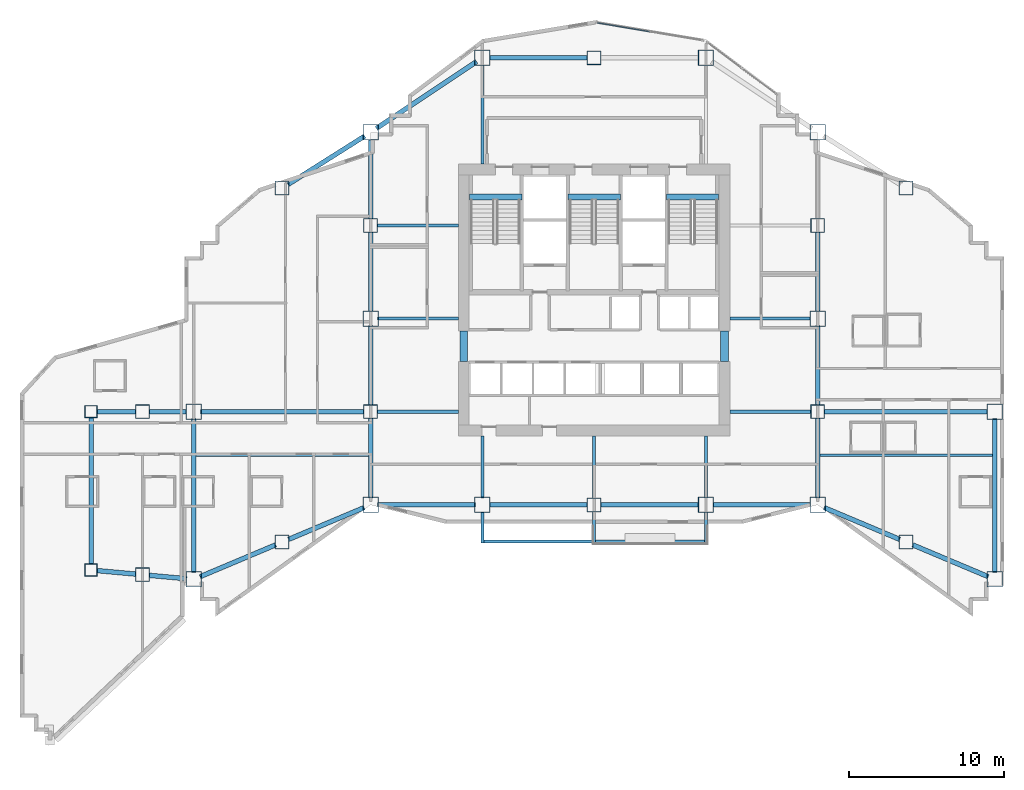
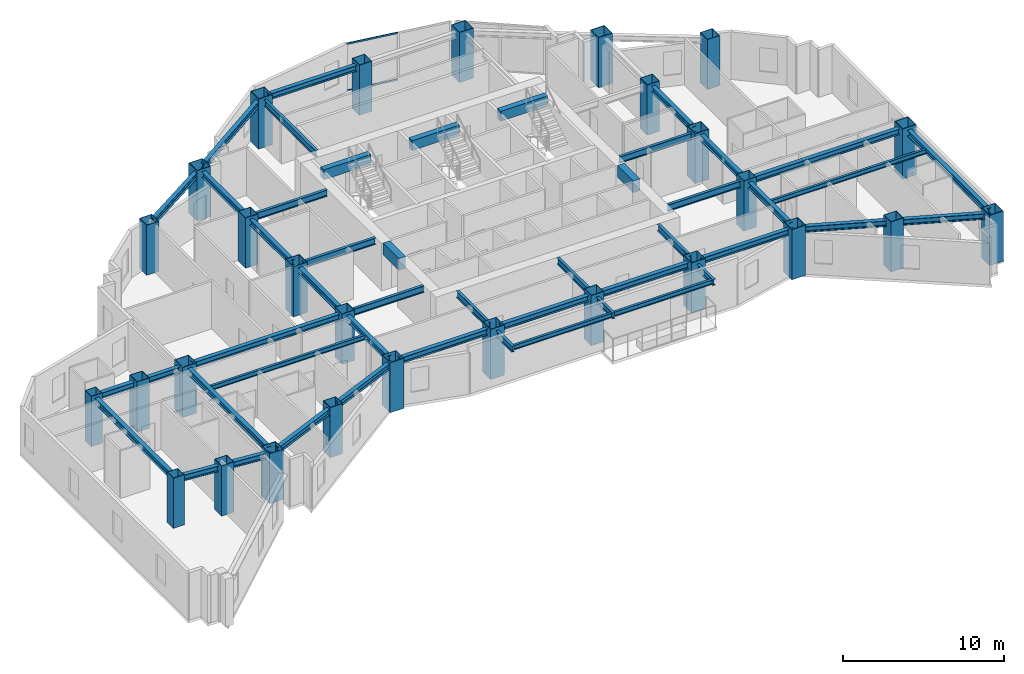
# One storey, part 1 of 13: 48 beams, 28 columns, 2 members, 1 element without a shape of its own.
"""IFC4 building model written with IfcOpenShell, lengths in metres."""

import ifcopenshell
import ifcopenshell.guid

model = None  # the IFC model being written
_history = None  # IfcOwnerHistory: only IFC2X3 demands one
_inside = {}  # id of a spatial element -> (the spatial element, [elements in it])
_under = {}  # id of a project, library or spatial element -> (it, [spatial elements below it])
_declared = {}  # id of a project -> (the project, [libraries it declares])
_typed = {}  # id of a type object -> (the type object, [elements of that type])
_made_of = {}  # id of a material, layer set ... -> (it, [elements and type objects made of it])


def new_model(schema):
    """Start an empty IFC model of exactly this schema.

    Asked for "IFC4X3", IfcOpenShell would pick the latest addendum, in which some entities
    have other attributes; the version numbers below select the first issue.
    IFC2X3 requires an IfcOwnerHistory on every rooted entity: one is made here for all.
    """
    global model, _history
    if schema == "IFC4X3":
        model = ifcopenshell.file(schema_version=(4, 3, 0, 0))
    else:
        model = ifcopenshell.file(schema=schema)
    _inside.clear()
    _under.clear()
    _declared.clear()
    _typed.clear()
    _made_of.clear()
    _history = None
    if model.schema == "IFC2X3":
        org = make("IfcOrganization", Name="unknown")
        user = make(
            "IfcPersonAndOrganization",
            ThePerson=make("IfcPerson", FamilyName="unknown"),
            TheOrganization=org,
        )
        app = make(
            "IfcApplication",
            ApplicationDeveloper=org,
            Version="unknown",
            ApplicationFullName="unknown",
            ApplicationIdentifier="unknown",
        )
        _history = make(
            "IfcOwnerHistory",
            OwningUser=user,
            OwningApplication=app,
            ChangeAction="ADDED",
            CreationDate=0,
        )
    return model


def make(cls, **values):
    """One entity of the class cls with the attributes given. An attribute that is None is left unset."""
    return model.create_entity(
        cls, **{name: value for name, value in values.items() if value is not None}
    )


def rooted(cls, **values):
    """An entity with a GlobalId (a new one), such as an element, a storey or a relation."""
    return make(cls, GlobalId=ifcopenshell.guid.new(), OwnerHistory=_history, **values)


def si_unit(unit_type, name, prefix=None):
    """IfcSIUnit, for example si_unit("LENGTHUNIT", "METRE", prefix="MILLI")."""
    return make("IfcSIUnit", UnitType=unit_type, Prefix=prefix, Name=name)


def assignment(units):
    """IfcUnitAssignment: the units of a project."""
    return None if units is None else make("IfcUnitAssignment", Units=units)


def point(xyz):
    """IfcCartesianPoint."""
    return None if xyz is None else make("IfcCartesianPoint", Coordinates=xyz)


def direction(xyz):
    """IfcDirection."""
    return None if xyz is None else make("IfcDirection", DirectionRatios=xyz)


def frame(location, z_axis=None, x_axis=None):
    """IfcAxis2Placement3D, a coordinate frame: its origin and axes. An axis left out is left unset."""
    return make(
        "IfcAxis2Placement3D",
        Location=point(location),
        Axis=direction(z_axis),
        RefDirection=direction(x_axis),
    )


def frame_2d(location, x_axis=None):
    """IfcAxis2Placement2D, a coordinate frame in the plane: its origin and x axis."""
    return make(
        "IfcAxis2Placement2D", Location=point(location), RefDirection=direction(x_axis)
    )


def origin():
    """The frame at (0, 0, 0) with its axes left unset."""
    return frame((0.0, 0.0, 0.0))


def origin_2d():
    """The frame at (0, 0) in the plane with its x axis left unset."""
    return frame_2d((0.0, 0.0))


def place(relative_to, where):
    """IfcLocalPlacement: puts the frame where relative to a parent placement (None: the world)."""
    return make(
        "IfcLocalPlacement", PlacementRelTo=relative_to, RelativePlacement=where
    )


def context(
    kind, dimensions, precision=None, world=None, true_north=None, identifier=None
):
    """IfcGeometricRepresentationContext, for example the 3D "Model" context."""
    return make(
        "IfcGeometricRepresentationContext",
        ContextIdentifier=identifier,
        ContextType=kind,
        CoordinateSpaceDimension=dimensions,
        Precision=precision,
        WorldCoordinateSystem=world,
        TrueNorth=true_north,
    )


def subcontext(parent, identifier, kind, view, scale=None):
    """IfcGeometricRepresentationSubContext, for example "Body" below "Model"."""
    return make(
        "IfcGeometricRepresentationSubContext",
        ContextIdentifier=identifier,
        ContextType=kind,
        ParentContext=parent,
        TargetScale=scale,
        TargetView=view,
    )


def project(units=None, contexts=None):
    """IfcProject with its units and contexts."""
    return rooted(
        "IfcProject",
        Name="project",
        RepresentationContexts=contexts,
        UnitsInContext=assignment(units),
    )


def spatial(cls, under=None, at=None, **own):
    """A site, building, storey or space (cls), placed at a placement, below another one or the project."""
    s = rooted(cls, ObjectPlacement=at, **own)
    if under is not None:
        _under.setdefault(under.id(), (under, []))[1].append(s)
    return s


def profile(cls, at=None, kind="AREA", **sizes):
    """A parametric profile (cls). Its sizes go by their IFC names, for example OverallWidth=200.0."""
    return make(cls, ProfileType=kind, Position=at, **sizes)


def rectangle(**sizes):
    """IfcRectangleProfileDef."""
    return profile("IfcRectangleProfileDef", **sizes)


def hollow_rectangle(**sizes):
    """IfcRectangleHollowProfileDef."""
    return profile("IfcRectangleHollowProfileDef", **sizes)


def i_section(**sizes):
    """IfcIShapeProfileDef."""
    return profile("IfcIShapeProfileDef", **sizes)


def extrude(swept, where, along, depth):
    """IfcExtrudedAreaSolid: the profile swept, set in the frame where, extruded along a direction by depth."""
    return make(
        "IfcExtrudedAreaSolid",
        SweptArea=swept,
        Position=where,
        ExtrudedDirection=direction(along),
        Depth=depth,
    )


def shape(context_of_items, identifier, shape_type, items):
    """IfcShapeRepresentation: the items that make up one representation, for example the "Body"."""
    return make(
        "IfcShapeRepresentation",
        ContextOfItems=context_of_items,
        RepresentationIdentifier=identifier,
        RepresentationType=shape_type,
        Items=items,
    )


def material(Name=None, Category=None):
    """IfcMaterial."""
    return make("IfcMaterial", Name=Name, Category=Category)


def layer(
    of_material, thickness, ventilated=None, Name=None, Category=None, Priority=None
):
    """IfcMaterialLayer: one layer of a wall or slab, of a material (None: an air gap)."""
    return make(
        "IfcMaterialLayer",
        Material=of_material,
        LayerThickness=thickness,
        IsVentilated=ventilated,
        Name=Name,
        Category=Category,
        Priority=Priority,
    )


def layer_set(layers, Name=None):
    """IfcMaterialLayerSet."""
    return make("IfcMaterialLayerSet", MaterialLayers=layers, LayerSetName=Name)


def material_profile(
    of_material, cross_section, Name=None, Category=None, Priority=None
):
    """IfcMaterialProfile: a cross section and its material."""
    return make(
        "IfcMaterialProfile",
        Name=Name,
        Material=of_material,
        Profile=cross_section,
        Priority=Priority,
        Category=Category,
    )


def profile_set(profiles, Name=None, composite=None):
    """IfcMaterialProfileSet."""
    return make(
        "IfcMaterialProfileSet",
        Name=Name,
        MaterialProfiles=profiles,
        CompositeProfile=composite,
    )


def made_of(thing, what):
    """Note that an element or type object is made of a material, layer set ...; save() writes the relation."""
    if what is not None:
        _made_of.setdefault(what.id(), (what, []))[1].append(thing)
    return thing


def type_object(cls, material=None, **own):
    """A type object (cls), such as IfcWallType, which elements share."""
    return made_of(rooted(cls, **own), material)


def element(
    cls,
    number,
    at=None,
    inside=None,
    cuts=None,
    type_object=None,
    material=None,
    context=None,
    identifier="Body",
    shape_type=None,
    held_by="IfcProductDefinitionShape",
    body=None,
    shapes=None,
    **own,
):
    """One element of the class cls, such as IfcWall. Its Tag is "e" and its number.

    at: its placement. inside: the storey or other place that contains it. cuts: it is an
    opening in that element (IfcRelVoidsElement). A single representation is given by context,
    identifier, shape_type and body (its items); several are given by shapes. held_by: the class
    of the entity that holds the representations. save() writes the other relations.
    """
    e = rooted(cls, Tag="e%d" % number, ObjectPlacement=at, **own)
    if body is not None:
        shapes = [shape(context, identifier, shape_type, body)]
    if shapes is not None:
        e.Representation = make(held_by, Representations=shapes)
    if inside is not None:
        _inside.setdefault(inside.id(), (inside, []))[1].append(e)
    if cuts is not None:
        rooted(
            "IfcRelVoidsElement", RelatingBuildingElement=cuts, RelatedOpeningElement=e
        )
    if type_object is not None:
        _typed.setdefault(type_object.id(), (type_object, []))[1].append(e)
    return made_of(e, material)


def aggregate(whole, parts):
    """IfcRelAggregates: a whole, such as a stair, and the parts it consists of."""
    return rooted("IfcRelAggregates", RelatingObject=whole, RelatedObjects=parts)


def save(model, path):
    """Write the relations noted so far, then the file.

    IfcRelAggregates (storeys below a building ...), IfcRelContainedInSpatialStructure (elements
    in a storey), IfcRelDefinesByType, IfcRelAssociatesMaterial and IfcRelDeclares: one each for
    every whole, place, type object, material and project.
    """
    for whole, parts in _under.values():
        aggregate(whole, parts)
    for where, things in _inside.values():
        rooted(
            "IfcRelContainedInSpatialStructure",
            RelatedElements=things,
            RelatingStructure=where,
        )
    for kind, things in _typed.values():
        rooted("IfcRelDefinesByType", RelatedObjects=things, RelatingType=kind)
    for what, things in _made_of.values():
        rooted("IfcRelAssociatesMaterial", RelatedObjects=things, RelatingMaterial=what)
    for by, libraries in _declared.values():
        rooted("IfcRelDeclares", RelatingContext=by, RelatedDefinitions=libraries)
    model.write(path)


model = new_model("IFC4")

# Units and contexts
model_context = context("Model", 3, precision=1e-05, world=origin(), true_north=direction((0.0, 1.0)))
body_context = subcontext(model_context, "Body", "Model", "MODEL_VIEW")
ifc_project = project(units=[si_unit("LENGTHUNIT", "METRE"), si_unit("AREAUNIT", "SQUARE_METRE"), si_unit("VOLUMEUNIT", "CUBIC_METRE"), si_unit("PLANEANGLEUNIT", "RADIAN"), si_unit("MASSUNIT", "GRAM", prefix="KILO")], contexts=[model_context])

# Site, building, storey
site_placement = place(None, origin())
site = spatial("IfcSite", under=ifc_project, at=site_placement, CompositionType="ELEMENT")
building_placement = place(site_placement, origin())
building = spatial("IfcBuilding", under=site, at=building_placement, Name="Haolan Belvedere Tower", CompositionType="ELEMENT")
storey_placement = place(building_placement, frame((0.0, 0.0, 128.800048828125)))
storey = spatial("IfcBuildingStorey", under=building, at=storey_placement, Name="L32", CompositionType="ELEMENT", Elevation=128.800048828125)

# Columns
ifc_material_1 = material(Name="Steel Q420GJC", Category="steel")
ifc_material_profile_1 = material_profile(ifc_material_1, hollow_rectangle(XDim=1.0, YDim=1.0, WallThickness=0.0380859375, at=origin_2d()), Name="Steel Q420GJC")
ifc_profile_set_1 = profile_set([ifc_material_profile_1], Name="Steel Q420GJC")
column_type_1 = type_object("IfcColumnType", Name="COL-BOX1000x1000x38", PredefinedType="COLUMN", material=ifc_profile_set_1)
for number, where, z_axis, x_axis, name in (
    (1, (24.0, 21.60009765625, 0.0), (0.0, 0.0, 1.0), (1.0, 0.0, 0.0), "L32 column MC-T3-SW (BOX1000x1000x38)"),
    (2, (24.0, 33.60009765625, 0.0), (0.0, 0.0, 1.0), (1.0, 0.0, 0.0), "L32 column MC-T3-MW (BOX1000x1000x38)"),
    (3, (24.0, 45.60009765625, 0.0), (0.0, 0.0, 1.0), (1.0, 0.0, 0.0), "L32 column MC-T3-NW (BOX1000x1000x38)"),
    (4, (52.800048828125, 21.60009765625, 0.0), (0.0, 0.0, 1.0), (1.0, 0.0, 0.0), "L32 column MC-T3-SE (BOX1000x1000x38)"),
    (5, (52.800048828125, 33.60009765625, 0.0), (0.0, 0.0, 1.0), (1.0, 0.0, 0.0), "L32 column MC-T3-ME (BOX1000x1000x38)"),
    (6, (52.800048828125, 45.60009765625, 0.0), (0.0, 0.0, 1.0), (1.0, 0.0, 0.0), "L32 column MC-T3-NE (BOX1000x1000x38)"),
    (7, (31.199951171875, 21.60009765625, 0.0), (0.0, 0.0, 1.0), (1.0, 0.0, 0.0), "L32 column MC-T3-S1 (BOX1000x1000x38)"),
    (8, (45.60009765625, 21.60009765625, 0.0), (0.0, 0.0, 1.0), (1.0, 0.0, 0.0), "L32 column MC-T3-S2 (BOX1000x1000x38)"),
    (9, (31.199951171875, 50.39990234375, 0.0), (0.0, 0.0, 1.0), (1.0, 0.0, 0.0), "L32 column MC-T3-N1 (BOX1000x1000x38)"),
    (10, (45.60009765625, 50.39990234375, 0.0), (0.0, 0.0, 1.0), (1.0, 0.0, 0.0), "L32 column MC-T3-N2 (BOX1000x1000x38)"),
    (11, (12.60009765625, 16.800048828125, 0.0), (0.0, 0.0, 1.0), (1.0, 0.0, 0.0), "L32 column MC-T2-SW (BOX1000x1000x38)"),
    (12, (12.60009765625, 27.60009765625, 0.0), (0.0, 0.0, 1.0), (1.0, 0.0, 0.0), "L32 column MC-T2-MW (BOX1000x1000x38)"),
    (13, (64.199951171875, 16.800048828125, 0.0), (0.0, 0.0, 1.0), (1.0, 0.0, 0.0), "L32 column MC-T4-SE (BOX1000x1000x38)"),
    (14, (64.199951171875, 27.60009765625, 0.0), (0.0, 0.0, 1.0), (1.0, 0.0, 0.0), "L32 column MC-T4-ME (BOX1000x1000x38)"),
):
    element("IfcColumn", number, at=place(storey_placement, frame(where, z_axis=z_axis, x_axis=x_axis)), inside=storey, type_object=column_type_1, Name=name, PredefinedType="COLUMN", context=body_context, shape_type="SweptSolid", body=[
        extrude(hollow_rectangle(XDim=1.0, YDim=1.0, WallThickness=0.0380859375, at=origin_2d()), origin(), (0.0, 0.0, 1.0), 3.800048828125),
    ])
ifc_material_2 = material(Name="Steel Q390GJC", Category="steel")
ifc_material_profile_2 = material_profile(ifc_material_2, hollow_rectangle(XDim=0.800048828125, YDim=0.800048828125, WallThickness=0.030029296875, at=origin_2d()), Name="Steel Q390GJC")
ifc_profile_set_2 = profile_set([ifc_material_profile_2], Name="Steel Q390GJC")
column_type_2 = type_object("IfcColumnType", Name="COL-BOX800x800x30", PredefinedType="COLUMN", material=ifc_profile_set_2)
for number, where, z_axis, x_axis, name in (
    (15, (6.0, 17.39990234375, 0.0), (0.0, 0.0, 1.0), (1.0, 0.0, 0.0), "L32 column MC-T1-SW (BOX800x800x30)"),
    (16, (6.0, 27.60009765625, 0.0), (0.0, 0.0, 1.0), (1.0, 0.0, 0.0), "L32 column MC-T1-NW (BOX800x800x30)"),
):
    element("IfcColumn", number, at=place(storey_placement, frame(where, z_axis=z_axis, x_axis=x_axis)), inside=storey, type_object=column_type_2, Name=name, PredefinedType="COLUMN", context=body_context, shape_type="SweptSolid", body=[
        extrude(hollow_rectangle(XDim=0.800048828125, YDim=0.800048828125, WallThickness=0.030029296875, at=origin_2d()), origin(), (0.0, 0.0, 1.0), 3.800048828125),
    ])
ifc_material_profile_3 = material_profile(ifc_material_2, hollow_rectangle(XDim=0.89990234375, YDim=0.89990234375, WallThickness=0.033935546875, at=origin_2d()), Name="Steel Q390GJC")
ifc_profile_set_3 = profile_set([ifc_material_profile_3], Name="Steel Q390GJC")
column_type_3 = type_object("IfcColumnType", Name="COL-BOX900x900x34", PredefinedType="COLUMN", material=ifc_profile_set_3)
for number, where, z_axis, x_axis, name in (
    (17, (24.0, 27.60009765625, 0.0), (0.0, 0.0, 1.0), (1.0, 0.0, 0.0), "L32 column TC-T3-W1 (BOX900x900x34)"),
    (18, (24.0, 39.60009765625, 0.0), (0.0, 0.0, 1.0), (1.0, 0.0, 0.0), "L32 column TC-T3-W2 (BOX900x900x34)"),
    (19, (52.800048828125, 27.60009765625, 0.0), (0.0, 0.0, 1.0), (1.0, 0.0, 0.0), "L32 column TC-T3-E1 (BOX900x900x34)"),
    (20, (52.800048828125, 39.60009765625, 0.0), (0.0, 0.0, 1.0), (1.0, 0.0, 0.0), "L32 column TC-T3-E2 (BOX900x900x34)"),
    (21, (38.39990234375, 21.60009765625, 0.0), (0.0, 0.0, 1.0), (1.0, 0.0, 0.0), "L32 column TC-T3-SM (BOX900x900x34)"),
    (22, (38.39990234375, 50.39990234375, 0.0), (0.0, 0.0, 1.0), (1.0, 0.0, 0.0), "L32 column TC-T3-NM (BOX900x900x34)"),
    (23, (18.300048828125, 19.199951171875, 0.0), (0.0, 0.0, 1.0), (1.0, 0.0, 0.0), "L32 column TC-T2-S1 (BOX900x900x34)"),
    (24, (18.300048828125, 42.0, 0.0), (0.0, 0.0, 1.0), (1.0, 0.0, 0.0), "L32 column TC-T2-N1 (BOX900x900x34)"),
    (25, (58.5, 19.199951171875, 0.0), (0.0, 0.0, 1.0), (1.0, 0.0, 0.0), "L32 column TC-T4-S1 (BOX900x900x34)"),
    (26, (58.5, 42.0, 0.0), (0.0, 0.0, 1.0), (1.0, 0.0, 0.0), "L32 column TC-T4-N1 (BOX900x900x34)"),
    (27, (9.300048828125, 17.10009765625, 0.0), (0.0, 0.0, 1.0), (1.0, 0.0, 0.0), "L32 column TC-T1-M1 (BOX900x900x34)"),
    (28, (9.300048828125, 27.60009765625, 0.0), (0.0, 0.0, 1.0), (1.0, 0.0, 0.0), "L32 column TC-T1-M2 (BOX900x900x34)"),
):
    element("IfcColumn", number, at=place(storey_placement, frame(where, z_axis=z_axis, x_axis=x_axis)), inside=storey, type_object=column_type_3, Name=name, PredefinedType="COLUMN", context=body_context, shape_type="SweptSolid", body=[
        extrude(hollow_rectangle(XDim=0.89990234375, YDim=0.89990234375, WallThickness=0.033935546875, at=origin_2d()), origin(), (0.0, 0.0, 1.0), 3.800048828125),
    ])

# Beams
ifc_material_3 = material(Name="Steel Q355B", Category="steel")
ifc_material_profile_4 = material_profile(ifc_material_3, i_section(OverallWidth=0.300048828125, OverallDepth=0.43994140625, WebThickness=0.010986328125, FlangeThickness=0.01806640625, FilletRadius=0.02392578125, at=origin_2d()), Name="Steel Q355B")
ifc_profile_set_4 = profile_set([ifc_material_profile_4], Name="Steel Q355B")
beam_type_1 = type_object("IfcBeamType", Name="BM-HM440x300x11x18", PredefinedType="SPANDREL", material=ifc_profile_set_4)
for number, where, z_axis, x_axis, name in (
    (29, (24.0, 22.050048828125, 3.3798828125), (0.0, 1.0, 0.0), (-1.0, 0.0, 0.0), "L32 spandrel girder MC-T3-SW-TC-T3-W1"),
    (30, (24.0, 28.050048828125, 3.3798828125), (0.0, 1.0, 0.0), (-1.0, 0.0, 0.0), "L32 spandrel girder TC-T3-W1-MC-T3-MW"),
    (31, (24.0, 34.050048828125, 3.3798828125), (0.0, 1.0, 0.0), (-1.0, 0.0, 0.0), "L32 spandrel girder MC-T3-MW-TC-T3-W2"),
    (32, (24.0, 40.050048828125, 3.3798828125), (0.0, 1.0, 0.0), (-1.0, 0.0, 0.0), "L32 spandrel girder TC-T3-W2-MC-T3-NW"),
    (33, (52.800048828125, 22.050048828125, 3.3798828125), (0.0, 1.0, 0.0), (-1.0, 0.0, 0.0), "L32 spandrel girder MC-T3-SE-TC-T3-E1"),
    (34, (52.800048828125, 28.050048828125, 3.3798828125), (0.0, 1.0, 0.0), (-1.0, 0.0, 0.0), "L32 spandrel girder TC-T3-E1-MC-T3-ME"),
    (35, (52.800048828125, 34.050048828125, 3.3798828125), (0.0, 1.0, 0.0), (-1.0, 0.0, 0.0), "L32 spandrel girder MC-T3-ME-TC-T3-E2"),
):
    element("IfcBeam", number, at=place(storey_placement, frame(where, z_axis=z_axis, x_axis=x_axis)), inside=storey, type_object=beam_type_1, Name=name, PredefinedType="SPANDREL", context=body_context, shape_type="SweptSolid", body=[
        extrude(i_section(OverallWidth=0.300048828125, OverallDepth=0.43994140625, WebThickness=0.010986328125, FlangeThickness=0.01806640625, FilletRadius=0.02392578125, at=origin_2d()), origin(), (0.0, 0.0, 1.0), 5.099853515625),
    ])
for number, where, z_axis, x_axis, name in (
    (36, (24.449951171875, 21.60009765625, 3.3798828125), (1.0, 0.0, 0.0), (0.0, 1.0, 0.0), "L32 spandrel girder MC-T3-SW-MC-T3-S1"),
    (37, (31.64990234375, 21.60009765625, 3.3798828125), (1.0, 0.0, 0.0), (0.0, 1.0, 0.0), "L32 spandrel girder MC-T3-S1-TC-T3-SM"),
):
    element("IfcBeam", number, at=place(storey_placement, frame(where, z_axis=z_axis, x_axis=x_axis)), inside=storey, type_object=beam_type_1, Name=name, PredefinedType="SPANDREL", context=body_context, shape_type="SweptSolid", body=[
        extrude(i_section(OverallWidth=0.300048828125, OverallDepth=0.43994140625, WebThickness=0.010986328125, FlangeThickness=0.01806640625, FilletRadius=0.02392578125, at=origin_2d()), origin(), (0.0, 0.0, 1.0), 6.300048828125),
    ])
beam_1_placement = place(storey_placement, frame((38.85009765625, 21.60009765625, 3.3798828125), z_axis=(1.0, 0.0, 0.0), x_axis=(0.0, 1.0, 0.0)))
element("IfcBeam", 38, at=beam_1_placement, inside=storey, type_object=beam_type_1, Name="L32 spandrel girder TC-T3-SM-MC-T3-S2", PredefinedType="SPANDREL", context=body_context, shape_type="SweptSolid", body=[
    extrude(i_section(OverallWidth=0.300048828125, OverallDepth=0.43994140625, WebThickness=0.010986328125, FlangeThickness=0.01806640625, FilletRadius=0.02392578125, at=origin_2d()), origin(), (0.0, 0.0, 1.0), 6.2998046875),
])
beam_2_placement = place(storey_placement, frame((46.050048828125, 21.60009765625, 3.3798828125), z_axis=(1.0, 0.0, 0.0), x_axis=(0.0, 1.0, 0.0)))
element("IfcBeam", 39, at=beam_2_placement, inside=storey, type_object=beam_type_1, Name="L32 spandrel girder MC-T3-S2-MC-T3-SE", PredefinedType="SPANDREL", context=body_context, shape_type="SweptSolid", body=[
    extrude(i_section(OverallWidth=0.300048828125, OverallDepth=0.43994140625, WebThickness=0.010986328125, FlangeThickness=0.01806640625, FilletRadius=0.02392578125, at=origin_2d()), origin(), (0.0, 0.0, 1.0), 6.300048828125),
])
beam_3_placement = place(storey_placement, frame((24.37451171875, 45.849609375, 3.3798828125), z_axis=(0.832050294338, 0.554700196225, 0.0), x_axis=(-0.554700196225, 0.832050294338, 0.0)))
element("IfcBeam", 40, at=beam_3_placement, inside=storey, type_object=beam_type_1, Name="L32 spandrel girder MC-T3-NW-MC-T3-N1", PredefinedType="SPANDREL", context=body_context, shape_type="SweptSolid", body=[
    extrude(i_section(OverallWidth=0.300048828125, OverallDepth=0.43994140625, WebThickness=0.010986328125, FlangeThickness=0.01806640625, FilletRadius=0.02392578125, at=origin_2d()), origin(), (0.0, 0.0, 1.0), 7.75341796875),
])
beam_4_placement = place(storey_placement, frame((31.64990234375, 50.39990234375, 3.3798828125), z_axis=(1.0, 0.0, 0.0), x_axis=(0.0, 1.0, 0.0)))
element("IfcBeam", 41, at=beam_4_placement, inside=storey, type_object=beam_type_1, Name="L32 spandrel girder MC-T3-N1-TC-T3-NM", PredefinedType="SPANDREL", context=body_context, shape_type="SweptSolid", body=[
    extrude(i_section(OverallWidth=0.300048828125, OverallDepth=0.43994140625, WebThickness=0.010986328125, FlangeThickness=0.01806640625, FilletRadius=0.02392578125, at=origin_2d()), origin(), (0.0, 0.0, 1.0), 6.300048828125),
])
beam_5_placement = place(storey_placement, frame((12.60009765625, 17.25, 3.3798828125), z_axis=(0.0, 1.0, 0.0), x_axis=(-1.0, 0.0, 0.0)))
element("IfcBeam", 42, at=beam_5_placement, inside=storey, type_object=beam_type_1, Name="L32 spandrel girder MC-T2-SW-MC-T2-MW", PredefinedType="SPANDREL", context=body_context, shape_type="SweptSolid", body=[
    extrude(i_section(OverallWidth=0.300048828125, OverallDepth=0.43994140625, WebThickness=0.010986328125, FlangeThickness=0.01806640625, FilletRadius=0.02392578125, at=origin_2d()), origin(), (0.0, 0.0, 1.0), 9.89990234375),
])
beam_6_placement = place(storey_placement, frame((13.0146484375, 16.974609375, 3.3798828125), z_axis=(0.921635375138, 0.388057000058, 0.0), x_axis=(-0.388057000058, 0.921635375138, 0.0)))
element("IfcBeam", 43, at=beam_6_placement, inside=storey, type_object=beam_type_1, Name="L32 spandrel girder MC-T2-SW-TC-T2-S1", PredefinedType="SPANDREL", context=body_context, shape_type="SweptSolid", body=[
    extrude(i_section(OverallWidth=0.300048828125, OverallDepth=0.43994140625, WebThickness=0.010986328125, FlangeThickness=0.01806640625, FilletRadius=0.02392578125, at=origin_2d()), origin(), (0.0, 0.0, 1.0), 5.28466796875),
])
beam_7_placement = place(storey_placement, frame((18.71484375, 19.37451171875, 3.3798828125), z_axis=(0.92162841793, 0.388073523014, 0.0), x_axis=(-0.388073523014, 0.92162841793, 0.0)))
element("IfcBeam", 44, at=beam_7_placement, inside=storey, type_object=beam_type_1, Name="L32 spandrel girder TC-T2-S1-MC-T3-SW", PredefinedType="SPANDREL", context=body_context, shape_type="SweptSolid", body=[
    extrude(i_section(OverallWidth=0.300048828125, OverallDepth=0.43994140625, WebThickness=0.010986328125, FlangeThickness=0.01806640625, FilletRadius=0.02392578125, at=origin_2d()), origin(), (0.0, 0.0, 1.0), 5.284423828125),
])
beam_8_placement = place(storey_placement, frame((18.680419921875, 42.240234375, 3.3798828125), z_axis=(0.845497840649, 0.533978839898, 0.0), x_axis=(-0.533978839898, 0.845497840649, 0.0)))
element("IfcBeam", 45, at=beam_8_placement, inside=storey, type_object=beam_type_1, Name="L32 spandrel girder TC-T2-N1-MC-T3-NW", PredefinedType="SPANDREL", context=body_context, shape_type="SweptSolid", body=[
    extrude(i_section(OverallWidth=0.300048828125, OverallDepth=0.43994140625, WebThickness=0.010986328125, FlangeThickness=0.01806640625, FilletRadius=0.02392578125, at=origin_2d()), origin(), (0.0, 0.0, 1.0), 5.841796875),
])
beam_9_placement = place(storey_placement, frame((13.050048828125, 27.60009765625, 3.3798828125), z_axis=(1.0, 0.0, 0.0), x_axis=(0.0, 1.0, 0.0)))
element("IfcBeam", 46, at=beam_9_placement, inside=storey, type_object=beam_type_1, Name="L32 spandrel girder MC-T2-MW-TC-T3-W1", PredefinedType="SPANDREL", context=body_context, shape_type="SweptSolid", body=[
    extrude(i_section(OverallWidth=0.300048828125, OverallDepth=0.43994140625, WebThickness=0.010986328125, FlangeThickness=0.01806640625, FilletRadius=0.02392578125, at=origin_2d()), origin(), (0.0, 0.0, 1.0), 10.5),
])
beam_10_placement = place(storey_placement, frame((64.199951171875, 17.25, 3.3798828125), z_axis=(0.0, 1.0, 0.0), x_axis=(-1.0, 0.0, 0.0)))
element("IfcBeam", 47, at=beam_10_placement, inside=storey, type_object=beam_type_1, Name="L32 spandrel girder MC-T4-SE-MC-T4-ME", PredefinedType="SPANDREL", context=body_context, shape_type="SweptSolid", body=[
    extrude(i_section(OverallWidth=0.300048828125, OverallDepth=0.43994140625, WebThickness=0.010986328125, FlangeThickness=0.01806640625, FilletRadius=0.02392578125, at=origin_2d()), origin(), (0.0, 0.0, 1.0), 9.89990234375),
])
for number, where, z_axis, x_axis, name in (
    (48, (53.21484375, 21.42529296875, 3.3798828125), (0.92162841793, -0.388073523014, 0.0), (0.388073523014, 0.92162841793, 0.0), "L32 spandrel girder MC-T3-SE-TC-T4-S1"),
    (49, (58.914794921875, 19.025390625, 3.3798828125), (0.92162841793, -0.388073523014, 0.0), (0.388073523014, 0.92162841793, 0.0), "L32 spandrel girder TC-T4-S1-MC-T4-SE"),
):
    element("IfcBeam", number, at=place(storey_placement, frame(where, z_axis=z_axis, x_axis=x_axis)), inside=storey, type_object=beam_type_1, Name=name, PredefinedType="SPANDREL", context=body_context, shape_type="SweptSolid", body=[
        extrude(i_section(OverallWidth=0.300048828125, OverallDepth=0.43994140625, WebThickness=0.010986328125, FlangeThickness=0.01806640625, FilletRadius=0.02392578125, at=origin_2d()), origin(), (0.0, 0.0, 1.0), 5.284423828125),
    ])
beam_11_placement = place(storey_placement, frame((53.25, 27.60009765625, 3.3798828125), z_axis=(1.0, 0.0, 0.0), x_axis=(0.0, 1.0, 0.0)))
element("IfcBeam", 50, at=beam_11_placement, inside=storey, type_object=beam_type_1, Name="L32 spandrel girder TC-T3-E1-MC-T4-ME", PredefinedType="SPANDREL", context=body_context, shape_type="SweptSolid", body=[
    extrude(i_section(OverallWidth=0.300048828125, OverallDepth=0.43994140625, WebThickness=0.010986328125, FlangeThickness=0.01806640625, FilletRadius=0.02392578125, at=origin_2d()), origin(), (0.0, 0.0, 1.0), 10.5),
])
beam_12_placement = place(storey_placement, frame((6.0, 17.800048828125, 3.3798828125), z_axis=(0.0, 1.0, 0.0), x_axis=(-1.0, 0.0, 0.0)))
element("IfcBeam", 51, at=beam_12_placement, inside=storey, type_object=beam_type_1, Name="L32 spandrel girder MC-T1-SW-MC-T1-NW", PredefinedType="SPANDREL", context=body_context, shape_type="SweptSolid", body=[
    extrude(i_section(OverallWidth=0.300048828125, OverallDepth=0.43994140625, WebThickness=0.010986328125, FlangeThickness=0.01806640625, FilletRadius=0.02392578125, at=origin_2d()), origin(), (0.0, 0.0, 1.0), 9.39990234375),
])
beam_13_placement = place(storey_placement, frame((6.3984375, 17.36376953125, 3.3798828125), z_axis=(0.995889143855, -0.090580423672, 0.0), x_axis=(0.090580423672, 0.995889143855, 0.0)))
element("IfcBeam", 52, at=beam_13_placement, inside=storey, type_object=beam_type_1, Name="L32 spandrel girder MC-T1-SW-TC-T1-M1", PredefinedType="SPANDREL", context=body_context, shape_type="SweptSolid", body=[
    extrude(i_section(OverallWidth=0.300048828125, OverallDepth=0.43994140625, WebThickness=0.010986328125, FlangeThickness=0.01806640625, FilletRadius=0.02392578125, at=origin_2d()), origin(), (0.0, 0.0, 1.0), 2.46337890625),
])
beam_14_placement = place(storey_placement, frame((9.748046875, 17.059326171875, 3.3798828125), z_axis=(0.9958940355, -0.090526626221, 0.0), x_axis=(0.090526626221, 0.9958940355, 0.0)))
element("IfcBeam", 53, at=beam_14_placement, inside=storey, type_object=beam_type_1, Name="L32 spandrel girder TC-T1-M1-MC-T2-SW", PredefinedType="SPANDREL", context=body_context, shape_type="SweptSolid", body=[
    extrude(i_section(OverallWidth=0.300048828125, OverallDepth=0.43994140625, WebThickness=0.010986328125, FlangeThickness=0.01806640625, FilletRadius=0.02392578125, at=origin_2d()), origin(), (0.0, 0.0, 1.0), 2.413818359375),
])
beam_15_placement = place(storey_placement, frame((6.39990234375, 27.60009765625, 3.3798828125), z_axis=(1.0, 0.0, 0.0), x_axis=(0.0, 1.0, 0.0)))
element("IfcBeam", 54, at=beam_15_placement, inside=storey, type_object=beam_type_1, Name="L32 spandrel girder MC-T1-NW-TC-T1-M2", PredefinedType="SPANDREL", context=body_context, shape_type="SweptSolid", body=[
    extrude(i_section(OverallWidth=0.300048828125, OverallDepth=0.43994140625, WebThickness=0.010986328125, FlangeThickness=0.01806640625, FilletRadius=0.02392578125, at=origin_2d()), origin(), (0.0, 0.0, 1.0), 2.4501953125),
])
beam_16_placement = place(storey_placement, frame((9.75, 27.60009765625, 3.3798828125), z_axis=(1.0, 0.0, 0.0), x_axis=(0.0, 1.0, 0.0)))
element("IfcBeam", 55, at=beam_16_placement, inside=storey, type_object=beam_type_1, Name="L32 spandrel girder TC-T1-M2-MC-T2-MW", PredefinedType="SPANDREL", context=body_context, shape_type="SweptSolid", body=[
    extrude(i_section(OverallWidth=0.300048828125, OverallDepth=0.43994140625, WebThickness=0.010986328125, FlangeThickness=0.01806640625, FilletRadius=0.02392578125, at=origin_2d()), origin(), (0.0, 0.0, 1.0), 2.39990234375),
])
ifc_material_profile_5 = material_profile(ifc_material_3, i_section(OverallWidth=0.175048828125, OverallDepth=0.35009765625, WebThickness=0.007080078125, FlangeThickness=0.010986328125, FilletRadius=0.012939453125, at=origin_2d()), Name="Steel Q355B")
ifc_profile_set_5 = profile_set([ifc_material_profile_5], Name="Steel Q355B")
beam_type_2 = type_object("IfcBeamType", Name="BM-HN350x175x7x11", PredefinedType="JOIST", material=ifc_profile_set_5)
for number, where, z_axis, x_axis, name in (
    (56, (12.75, 24.800048828125, 3.425048828125), (1.0, 0.0, 0.0), (0.0, 1.0, 0.0), "L32 west wing floor joist 1"),
    (57, (52.949951171875, 24.800048828125, 3.425048828125), (1.0, 0.0, 0.0), (0.0, 1.0, 0.0), "L32 east wing floor joist 1"),
):
    element("IfcBeam", number, at=place(storey_placement, frame(where, z_axis=z_axis, x_axis=x_axis)), inside=storey, type_object=beam_type_2, Name=name, PredefinedType="JOIST", context=body_context, shape_type="SweptSolid", body=[
        extrude(i_section(OverallWidth=0.175048828125, OverallDepth=0.35009765625, WebThickness=0.007080078125, FlangeThickness=0.010986328125, FilletRadius=0.012939453125, at=origin_2d()), origin(), (0.0, 0.0, 1.0), 11.10009765625),
    ])
for number, where, z_axis, x_axis, name in (
    (58, (31.300048828125, 19.239990234375, 3.39501953125), (1.0, 0.0, 0.0), (0.0, 1.0, 0.0), "L33 tree-balcony front trimmer beam 1"),
    (59, (38.5, 19.239990234375, 3.39501953125), (1.0, 0.0, 0.0), (0.0, 1.0, 0.0), "L33 tree-balcony front trimmer beam 2"),
):
    element("IfcBeam", number, at=place(storey_placement, frame(where, z_axis=z_axis, x_axis=x_axis)), inside=storey, type_object=beam_type_2, Name=name, PredefinedType="BEAM", context=body_context, shape_type="SweptSolid", body=[
        extrude(i_section(OverallWidth=0.175048828125, OverallDepth=0.35009765625, WebThickness=0.007080078125, FlangeThickness=0.010986328125, FilletRadius=0.012939453125, at=origin_2d()), origin(), (0.0, 0.0, 1.0), 7.0),
    ])
ifc_material_profile_6 = material_profile(ifc_material_3, i_section(OverallWidth=0.199951171875, OverallDepth=0.449951171875, WebThickness=0.009033203125, FlangeThickness=0.013916015625, FilletRadius=0.01611328125, at=origin_2d()), Name="Steel Q355B")
ifc_profile_set_6 = profile_set([ifc_material_profile_6], Name="Steel Q355B")
beam_type_3 = type_object("IfcBeamType", Name="BM-HN450x200x9x14", PredefinedType="BEAM", material=ifc_profile_set_6)
beam_17_placement = place(storey_placement, frame((31.199951171875, 21.10009765625, 3.344970703125), z_axis=(0.0, -1.0, 0.0), x_axis=(1.0, 0.0, 0.0)))
element("IfcBeam", 60, at=beam_17_placement, inside=storey, type_object=beam_type_3, Name="L33 tree-balcony column cantilever MC-T3-S1", PredefinedType="BEAM", context=body_context, shape_type="SweptSolid", body=[
    extrude(i_section(OverallWidth=0.199951171875, OverallDepth=0.449951171875, WebThickness=0.009033203125, FlangeThickness=0.013916015625, FilletRadius=0.01611328125, at=origin_2d()), origin(), (0.0, 0.0, 1.0), 1.960205078125),
])
beam_18_placement = place(storey_placement, frame((38.39990234375, 21.14990234375, 3.344970703125), z_axis=(0.0, -1.0, 0.0), x_axis=(1.0, 0.0, 0.0)))
element("IfcBeam", 61, at=beam_18_placement, inside=storey, type_object=beam_type_3, Name="L33 tree-balcony column cantilever TC-T3-SM", PredefinedType="BEAM", context=body_context, shape_type="SweptSolid", body=[
    extrude(i_section(OverallWidth=0.199951171875, OverallDepth=0.449951171875, WebThickness=0.009033203125, FlangeThickness=0.013916015625, FilletRadius=0.01611328125, at=origin_2d()), origin(), (0.0, 0.0, 1.0), 2.010009765625),
])
beam_19_placement = place(storey_placement, frame((45.60009765625, 21.10009765625, 3.344970703125), z_axis=(0.0, -1.0, 0.0), x_axis=(1.0, 0.0, 0.0)))
element("IfcBeam", 62, at=beam_19_placement, inside=storey, type_object=beam_type_3, Name="L33 tree-balcony column cantilever MC-T3-S2", PredefinedType="BEAM", context=body_context, shape_type="SweptSolid", body=[
    extrude(i_section(OverallWidth=0.199951171875, OverallDepth=0.449951171875, WebThickness=0.009033203125, FlangeThickness=0.013916015625, FilletRadius=0.01611328125, at=origin_2d()), origin(), (0.0, 0.0, 1.0), 1.960205078125),
])
ifc_material_profile_7 = material_profile(ifc_material_3, i_section(OverallWidth=0.199951171875, OverallDepth=0.5, WebThickness=0.010009765625, FlangeThickness=0.01611328125, FilletRadius=0.02001953125, at=origin_2d()), Name="Steel Q355B")
ifc_profile_set_7 = profile_set([ifc_material_profile_7], Name="Steel Q355B")
beam_type_4 = type_object("IfcBeamType", Name="BM-HN500x200x10x16", PredefinedType="BEAM", material=ifc_profile_set_7)
for number, where, z_axis, x_axis, name in (
    (63, (24.449951171875, 33.60009765625, 3.349853515625), (1.0, 0.0, 0.0), (0.0, 1.0, 0.0), "L32 core tie beam from MC-T3-MW"),
    (64, (24.449951171875, 27.60009765625, 3.349853515625), (1.0, 0.0, 0.0), (0.0, 1.0, 0.0), "L32 core tie beam from TC-T3-W1"),
    (65, (24.449951171875, 39.60009765625, 3.349853515625), (1.0, 0.0, 0.0), (0.0, 1.0, 0.0), "L32 core tie beam from TC-T3-W2"),
):
    element("IfcBeam", number, at=place(storey_placement, frame(where, z_axis=z_axis, x_axis=x_axis)), inside=storey, type_object=beam_type_4, Name=name, PredefinedType="BEAM", context=body_context, shape_type="SweptSolid", body=[
        extrude(i_section(OverallWidth=0.199951171875, OverallDepth=0.5, WebThickness=0.010009765625, FlangeThickness=0.01611328125, FilletRadius=0.02001953125, at=origin_2d()), origin(), (0.0, 0.0, 1.0), 5.199951171875),
    ])
for number, where, z_axis, x_axis, name in (
    (66, (52.35009765625, 33.60009765625, 3.349853515625), (-1.0, 0.0, 0.0), (0.0, -1.0, 0.0), "L32 core tie beam from MC-T3-ME"),
    (67, (52.35009765625, 27.60009765625, 3.349853515625), (-1.0, 0.0, 0.0), (0.0, -1.0, 0.0), "L32 core tie beam from TC-T3-E1"),
):
    element("IfcBeam", number, at=place(storey_placement, frame(where, z_axis=z_axis, x_axis=x_axis)), inside=storey, type_object=beam_type_4, Name=name, PredefinedType="BEAM", context=body_context, shape_type="SweptSolid", body=[
        extrude(i_section(OverallWidth=0.199951171875, OverallDepth=0.5, WebThickness=0.010009765625, FlangeThickness=0.01611328125, FilletRadius=0.02001953125, at=origin_2d()), origin(), (0.0, 0.0, 1.0), 5.2001953125),
    ])
for number, where, z_axis, x_axis, name in (
    (68, (31.199951171875, 22.050048828125, 3.349853515625), (0.0, 1.0, 0.0), (-1.0, 0.0, 0.0), "L32 core tie beam from MC-T3-S1"),
    (69, (38.39990234375, 22.050048828125, 3.349853515625), (0.0, 1.0, 0.0), (-1.0, 0.0, 0.0), "L32 core tie beam from TC-T3-SM"),
    (70, (45.60009765625, 22.050048828125, 3.349853515625), (0.0, 1.0, 0.0), (-1.0, 0.0, 0.0), "L32 core tie beam from MC-T3-S2"),
):
    element("IfcBeam", number, at=place(storey_placement, frame(where, z_axis=z_axis, x_axis=x_axis)), inside=storey, type_object=beam_type_4, Name=name, PredefinedType="BEAM", context=body_context, shape_type="SweptSolid", body=[
        extrude(i_section(OverallWidth=0.199951171875, OverallDepth=0.5, WebThickness=0.010009765625, FlangeThickness=0.01611328125, FilletRadius=0.02001953125, at=origin_2d()), origin(), (0.0, 0.0, 1.0), 4.0),
    ])
beam_20_placement = place(storey_placement, frame((31.199951171875, 49.949951171875, 3.349853515625), z_axis=(0.0, -1.0, 0.0), x_axis=(1.0, 0.0, 0.0)))
element("IfcBeam", 71, at=beam_20_placement, inside=storey, type_object=beam_type_4, Name="L32 core tie beam from MC-T3-N1", PredefinedType="BEAM", context=body_context, shape_type="SweptSolid", body=[
    extrude(i_section(OverallWidth=0.199951171875, OverallDepth=0.5, WebThickness=0.010009765625, FlangeThickness=0.01611328125, FilletRadius=0.02001953125, at=origin_2d()), origin(), (0.0, 0.0, 1.0), 6.39990234375),
])
ifc_material_4 = material(Name="Concrete C50/60", Category="concrete")
ifc_material_profile_8 = material_profile(ifc_material_4, rectangle(XDim=0.39990234375, YDim=0.75, at=origin_2d()), Name="Concrete C50/60")
ifc_profile_set_8 = profile_set([ifc_material_profile_8], Name="Concrete C50/60")
beam_type_5 = type_object("IfcBeamType", Name="BM-RC400x750", PredefinedType="T_BEAM", material=ifc_profile_set_8)
beam_21_placement = place(storey_placement, frame((30.3798828125, 41.429931640625, 3.425048828125), z_axis=(1.0, 0.0, 0.0), x_axis=(0.0, 1.0, 0.0)))
element("IfcBeam", 72, at=beam_21_placement, inside=storey, type_object=beam_type_5, Name="L33 stair ST1 RC header trimmer beam", PredefinedType="BEAM", context=body_context, shape_type="SweptSolid", body=[
    extrude(rectangle(XDim=0.39990234375, YDim=0.75, at=origin_2d()), origin(), (0.0, 0.0, 1.0), 3.360107421875),
])
beam_22_placement = place(storey_placement, frame((36.699951171875, 41.429931640625, 3.425048828125), z_axis=(1.0, 0.0, 0.0), x_axis=(0.0, 1.0, 0.0)))
element("IfcBeam", 73, at=beam_22_placement, inside=storey, type_object=beam_type_5, Name="L33 stair ST3 RC header trimmer beam", PredefinedType="BEAM", context=body_context, shape_type="SweptSolid", body=[
    extrude(rectangle(XDim=0.39990234375, YDim=0.75, at=origin_2d()), origin(), (0.0, 0.0, 1.0), 3.400146484375),
])
beam_23_placement = place(storey_placement, frame((43.06005859375, 41.429931640625, 3.425048828125), z_axis=(1.0, 0.0, 0.0), x_axis=(0.0, 1.0, 0.0)))
element("IfcBeam", 74, at=beam_23_placement, inside=storey, type_object=beam_type_5, Name="L33 stair ST2 RC header trimmer beam", PredefinedType="BEAM", context=body_context, shape_type="SweptSolid", body=[
    extrude(rectangle(XDim=0.39990234375, YDim=0.75, at=origin_2d()), origin(), (0.0, 0.0, 1.0), 3.35986328125),
])
ifc_material_5 = material(Name="Concrete C60/75", Category="concrete")
ifc_material_profile_9 = material_profile(ifc_material_5, rectangle(XDim=0.5, YDim=0.89990234375, at=origin_2d()), Name="Concrete C60/75")
ifc_profile_set_9 = profile_set([ifc_material_profile_9], Name="Concrete C60/75")
beam_type_6 = type_object("IfcBeamType", Name="BM-RC500x900", PredefinedType="LINTEL", material=ifc_profile_set_9)
for number, where, z_axis, x_axis, name in (
    (75, (30.0, 30.85009765625, 3.14990234375), (0.0, 1.0, 0.0), (-1.0, 0.0, 0.0), "L32 west core coupling beam CB-01"),
    (76, (46.800048828125, 30.85009765625, 3.14990234375), (0.0, 1.0, 0.0), (-1.0, 0.0, 0.0), "L32 east core coupling beam CB-01"),
):
    element("IfcBeam", number, at=place(storey_placement, frame(where, z_axis=z_axis, x_axis=x_axis)), inside=storey, type_object=beam_type_6, Name=name, PredefinedType="LINTEL", context=body_context, shape_type="SweptSolid", body=[
        extrude(rectangle(XDim=0.5, YDim=0.89990234375, at=origin_2d()), origin(), (0.0, 0.0, 1.0), 1.949951171875),
    ])

# Curtain wall, members
ifc_material_6 = material(Name="Anodised champagne-silver aluminium 6063-T6 and Low-E glass", Category="aluminium")
ifc_layer = layer(ifc_material_6, 0.155029296875, Name="Anodised champagne-silver aluminium 6063-T6 and Low-E glass")
ifc_layer_set = layer_set([ifc_layer], Name="Anodised champagne-silver aluminium 6063-T6 and Low-E glass")
curtain_wall_type = type_object("IfcCurtainWallType", Name="CW-SYS-03", PredefinedType="NOTDEFINED", material=ifc_layer_set)
curtain_wall_placement = place(storey_placement, origin())
curtain_wall = element("IfcCurtainWall", 77, at=curtain_wall_placement, inside=storey, type_object=curtain_wall_type, Name="L32 CW-SYS-03 ribbon curtain wall 27.1", PredefinedType="NOTDEFINED")
ifc_material_7 = material(Name="Anodised aluminium 6063-T6", Category="aluminium")
ifc_material_profile_10 = material_profile(ifc_material_7, hollow_rectangle(XDim=0.053955078125, YDim=0.125, WallThickness=0.00390625, at=origin_2d()), Name="Anodised aluminium 6063-T6")
ifc_profile_set_10 = profile_set([ifc_material_profile_10], Name="Anodised aluminium 6063-T6")
member_type = type_object("IfcMemberType", Name="CW-SYS-03-TRN", PredefinedType="USERDEFINED", material=ifc_profile_set_10)
member_1_placement = place(storey_placement, frame((41.947021484375, 52.087158203125, 0.02685546875), z_axis=(-0.986395865591, 0.16438733633, 0.0), x_axis=(-0.16438733633, -0.986395865591, 0.0)))
member_1 = element("IfcMember", 78, at=member_1_placement, type_object=member_type, Name="CW-03 transom 2.1", ObjectType="TRANSOM", PredefinedType="USERDEFINED", context=body_context, shape_type="SweptSolid", body=[
    extrude(hollow_rectangle(XDim=0.053955078125, YDim=0.125, WallThickness=0.00390625, at=origin_2d()), origin(), (0.0, 0.0, 1.0), 3.39794921875),
])
member_2_placement = place(storey_placement, frame((41.947021484375, 52.087158203125, 3.572998046875), z_axis=(-0.986395865591, 0.16438733633, 0.0), x_axis=(-0.16438733633, -0.986395865591, 0.0)))
member_2 = element("IfcMember", 79, at=member_2_placement, type_object=member_type, Name="CW-03 transom 2.2", ObjectType="TRANSOM", PredefinedType="USERDEFINED", context=body_context, shape_type="SweptSolid", body=[
    extrude(hollow_rectangle(XDim=0.053955078125, YDim=0.125, WallThickness=0.00390625, at=origin_2d()), origin(), (0.0, 0.0, 1.0), 3.39794921875),
])
aggregate(curtain_wall, [member_1, member_2])

save(model, "model.ifc")
